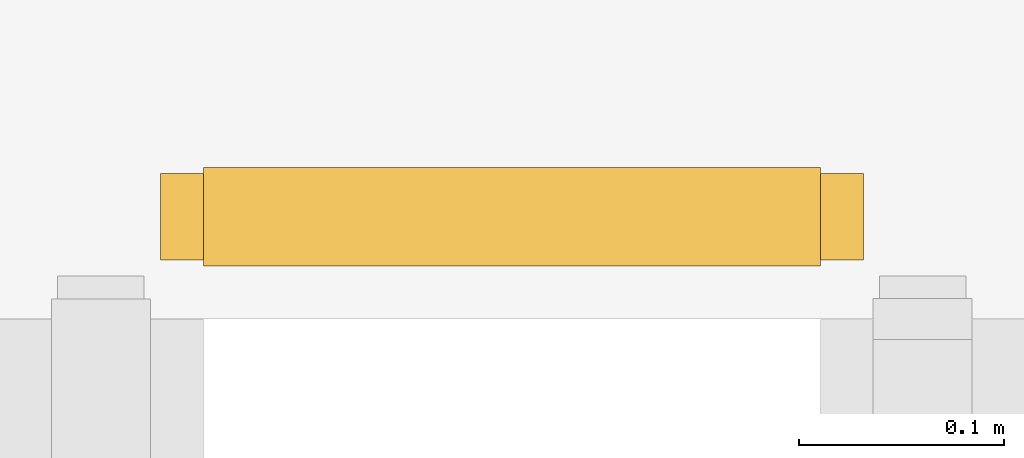
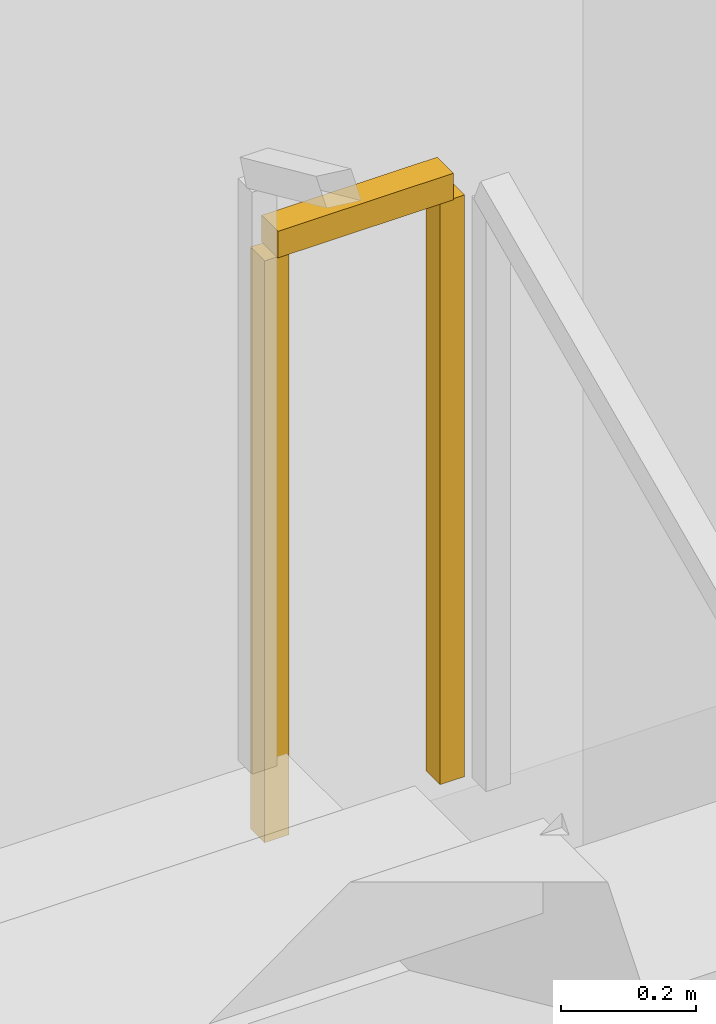
# One storey, part 10 of 11: 1 railing.
"""IFC4 building model written with IfcOpenShell, lengths in metres."""

from ifc_helpers import new_model, si_unit, direction, frame, origin, origin_2d, place, context, subcontext, project, spatial, rectangle, extrude, material, type_object, element, save


model = new_model("IFC4")

# Units and contexts
model_context = context("Model", 3, precision=1e-05, world=origin(), true_north=direction((0.0, 1.0)))
body_context = subcontext(model_context, "Body", "Model", "MODEL_VIEW")
ifc_project = project(units=[si_unit("LENGTHUNIT", "METRE"), si_unit("AREAUNIT", "SQUARE_METRE"), si_unit("VOLUMEUNIT", "CUBIC_METRE"), si_unit("PLANEANGLEUNIT", "RADIAN"), si_unit("MASSUNIT", "GRAM", prefix="KILO")], contexts=[model_context])

# Site, building, storey
site_placement = place(None, origin())
site = spatial("IfcSite", under=ifc_project, at=site_placement, CompositionType="ELEMENT")
building_placement = place(site_placement, origin())
building = spatial("IfcBuilding", under=site, at=building_placement, Name="Rattan Terrace Tower", CompositionType="ELEMENT")
storey_placement = place(building_placement, frame((0.0, 0.0, -5.5)))
storey = spatial("IfcBuildingStorey", under=building, at=storey_placement, Name="B1", CompositionType="ELEMENT", Elevation=-5.5)

# Railing
ifc_material = material(Name="Powder-coated steel guard", Category="steel")
railing_type = type_object("IfcRailingType", Name="Core stair guard", PredefinedType="GUARDRAIL", material=ifc_material)
railing_placement = place(storey_placement, frame((15.60009765625, 4.409912109375, 4.125)))
element("IfcRailing", 1, at=railing_placement, inside=storey, type_object=railing_type, Name="B1 S2 stair guard 6", PredefinedType="GUARDRAIL", context=body_context, shape_type="SweptSolid", body=[
    extrude(rectangle(XDim=0.048095703125, YDim=0.048095703125, at=origin_2d()), frame((0.0, 0.0, 1.076171875), z_axis=(-1.0, 0.0, 0.0), x_axis=(0.0, -1.0, 0.0)), (0.0, 0.0, 1.0), 0.300048828125),
    extrude(rectangle(XDim=0.0419921875, YDim=0.0419921875, at=origin_2d()), origin(), (0.0, 0.0, 1.0), 1.052001953125),
    extrude(rectangle(XDim=0.0419921875, YDim=0.0419921875, at=origin_2d()), frame((-0.300048828125, 0.0, 0.0)), (0.0, 0.0, 1.0), 1.052001953125),
])

save(model, "model.ifc")
